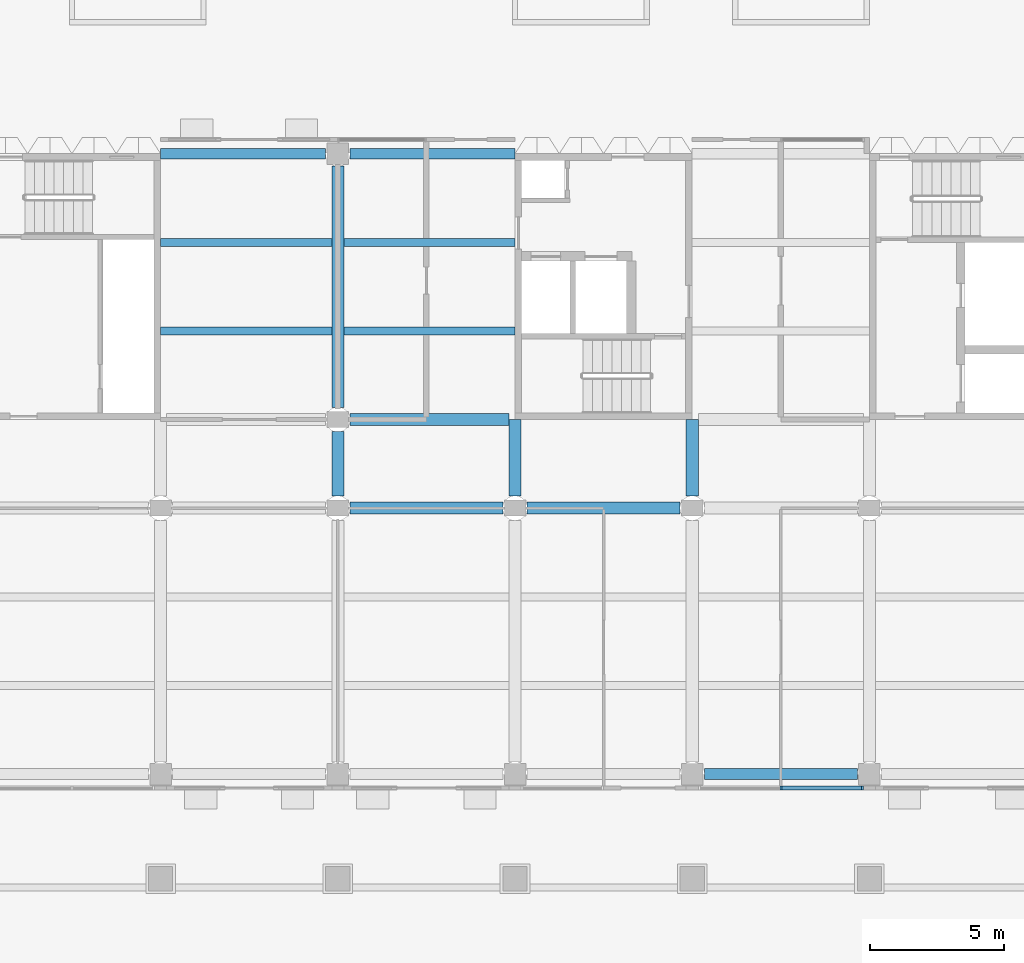
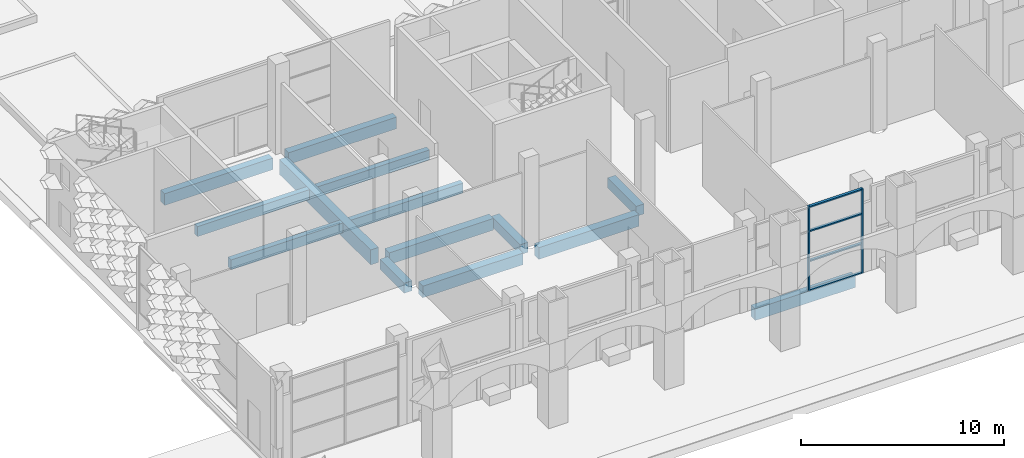
# One storey, part 3 of 85: 14 beams, 6 members, 1 element without a shape of its own.
"""IFC4 building model written with IfcOpenShell, lengths in metres."""

from ifc_helpers import new_model, si_unit, direction, frame, origin, origin_2d, place, context, subcontext, project, spatial, rectangle, extrude, material, material_profile, profile_set, type_object, element, aggregate, save


model = new_model("IFC4")

# Units and contexts
model_context = context("Model", 3, precision=1e-05, world=origin(), true_north=direction((0.0, 1.0)))
body_context = subcontext(model_context, "Body", "Model", "MODEL_VIEW")
ifc_project = project(units=[si_unit("LENGTHUNIT", "METRE"), si_unit("AREAUNIT", "SQUARE_METRE"), si_unit("VOLUMEUNIT", "CUBIC_METRE"), si_unit("PLANEANGLEUNIT", "RADIAN"), si_unit("MASSUNIT", "GRAM", prefix="KILO")], contexts=[model_context])

# Site, building, storey
site_placement = place(None, origin())
site = spatial("IfcSite", under=ifc_project, at=site_placement, CompositionType="ELEMENT")
building_placement = place(site_placement, origin())
building = spatial("IfcBuilding", under=site, at=building_placement, Name="Lantern Court Research Institute", CompositionType="ELEMENT")
storey_placement = place(building_placement, origin())
storey = spatial("IfcBuildingStorey", under=building, at=storey_placement, Name="L00", CompositionType="ELEMENT", Elevation=0.0)

# Curtain wall, members
ifc_material_1 = material(Name="Aluminium alloy 6063-T6", Category="aluminium")
curtain_wall_type = type_object("IfcCurtainWallType", Name="Curtain wall 6150 x 5100 x 150 aluminium frame", PredefinedType="NOTDEFINED", material=ifc_material_1)
curtain_wall_placement = place(storey_placement, origin())
curtain_wall = element("IfcCurtainWall", 1, at=curtain_wall_placement, inside=storey, type_object=curtain_wall_type, Name="Curtain wall CW010", PredefinedType="NOTDEFINED")
ifc_material_2 = material(Name="Aluminium alloy 6063-T6", Category="aluminium")
ifc_material_profile_1 = material_profile(ifc_material_2, rectangle(XDim=0.14990234375, YDim=0.080078125, at=origin_2d()), Name="Mullion 150 x 80")
ifc_profile_set_1 = profile_set([ifc_material_profile_1], Name="Aluminium alloy 6063-T6")
member_type_1 = type_object("IfcMemberType", Name="Mullion 150 x 80 aluminium", PredefinedType="MULLION", material=ifc_profile_set_1)
member_1_placement = place(storey_placement, frame((29.699951171875, -0.52490234375, 0.0), z_axis=(0.0, 0.0, 1.0), x_axis=(0.0, -1.0, 0.0)))
member_1 = element("IfcMember", 2, at=member_1_placement, type_object=member_type_1, Name="CW010 mullion 2", PredefinedType="MULLION", context=body_context, shape_type="SweptSolid", body=[
    extrude(rectangle(XDim=0.14990234375, YDim=0.080078125, at=origin_2d()), origin(), (0.0, 0.0, 1.0), 5.10009765625),
])
member_2_placement = place(storey_placement, frame((32.735107421875, -0.52490234375, 0.0), z_axis=(0.0, 0.0, 1.0), x_axis=(0.0, -1.0, 0.0)))
member_2 = element("IfcMember", 3, at=member_2_placement, type_object=member_type_1, Name="CW010 mullion 3", PredefinedType="MULLION", context=body_context, shape_type="SweptSolid", body=[
    extrude(rectangle(XDim=0.14990234375, YDim=0.080078125, at=origin_2d()), origin(), (0.0, 0.0, 1.0), 5.10009765625),
])

# Beams
ifc_material_3 = material(Name="Concrete C40/50", Category="concrete")
ifc_material_profile_2 = material_profile(ifc_material_3, rectangle(XDim=0.449951171875, YDim=0.699951171875, at=origin_2d()), Name="RC beam 450 x 700")
ifc_profile_set_2 = profile_set([ifc_material_profile_2], Name="Concrete C40/50")
beam_type_1 = type_object("IfcBeamType", Name="RC beam 450 x 700", PredefinedType="BEAM", material=ifc_profile_set_2)
beam_1_placement = place(storey_placement, frame((13.64990234375, 9.89990234375, -0.64990234375), z_axis=(1.0, 0.0, 0.0), x_axis=(0.0, 1.0, 0.0)))
element("IfcBeam", 4, at=beam_1_placement, inside=storey, type_object=beam_type_1, Name="Beam L00 grid B/3-4", PredefinedType="BEAM", context=body_context, shape_type="SweptSolid", body=[
    extrude(rectangle(XDim=0.449951171875, YDim=0.699951171875, at=origin_2d()), origin(), (0.0, 0.0, 1.0), 5.7001953125),
])
beam_2_placement = place(storey_placement, frame((20.25, 9.89990234375, -0.64990234375), z_axis=(1.0, 0.0, 0.0), x_axis=(0.0, 1.0, 0.0)))
element("IfcBeam", 5, at=beam_2_placement, inside=storey, type_object=beam_type_1, Name="Beam L00 grid B/4-5", PredefinedType="BEAM", context=body_context, shape_type="SweptSolid", body=[
    extrude(rectangle(XDim=0.449951171875, YDim=0.699951171875, at=origin_2d()), origin(), (0.0, 0.0, 1.0), 5.699951171875),
])
beam_3_placement = place(storey_placement, frame((13.64990234375, 13.199951171875, -0.64990234375), z_axis=(1.0, 0.0, 0.0), x_axis=(0.0, 1.0, 0.0)))
element("IfcBeam", 6, at=beam_3_placement, inside=storey, type_object=beam_type_1, Name="Beam L00 grid C/3-4", PredefinedType="BEAM", context=body_context, shape_type="SweptSolid", body=[
    extrude(rectangle(XDim=0.449951171875, YDim=0.699951171875, at=origin_2d()), origin(), (0.0, 0.0, 1.0), 5.925048828125),
])
ifc_material_4 = material(Name="Concrete C40/50", Category="concrete")
ifc_material_profile_3 = material_profile(ifc_material_4, rectangle(XDim=0.39990234375, YDim=0.699951171875, at=origin_2d()), Name="RC beam 400 x 700")
ifc_profile_set_3 = profile_set([ifc_material_profile_3], Name="Concrete C40/50")
beam_type_2 = type_object("IfcBeamType", Name="RC edge beam 400 x 700", PredefinedType="BEAM", material=ifc_profile_set_3)
beam_4_placement = place(storey_placement, frame((26.85009765625, 0.0, -0.64990234375), z_axis=(1.0, 0.0, 0.0), x_axis=(0.0, 1.0, 0.0)))
element("IfcBeam", 7, at=beam_4_placement, inside=storey, type_object=beam_type_2, Name="Edge beam L00 grid A/5-6", PredefinedType="BEAM", context=body_context, shape_type="SweptSolid", body=[
    extrude(rectangle(XDim=0.39990234375, YDim=0.699951171875, at=origin_2d()), origin(), (0.0, 0.0, 1.0), 5.699951171875),
])
beam_5_placement = place(storey_placement, frame((6.60009765625, 23.10009765625, -0.64990234375), z_axis=(1.0, 0.0, 0.0), x_axis=(0.0, 1.0, 0.0)))
element("IfcBeam", 8, at=beam_5_placement, inside=storey, type_object=beam_type_2, Name="Edge beam L00 grid D/2-3", PredefinedType="BEAM", context=body_context, shape_type="SweptSolid", body=[
    extrude(rectangle(XDim=0.39990234375, YDim=0.699951171875, at=origin_2d()), origin(), (0.0, 0.0, 1.0), 6.14990234375),
])
beam_6_placement = place(storey_placement, frame((13.64990234375, 23.10009765625, -0.64990234375), z_axis=(1.0, 0.0, 0.0), x_axis=(0.0, 1.0, 0.0)))
element("IfcBeam", 9, at=beam_6_placement, inside=storey, type_object=beam_type_2, Name="Edge beam L00 grid D/3-4", PredefinedType="BEAM", context=body_context, shape_type="SweptSolid", body=[
    extrude(rectangle(XDim=0.39990234375, YDim=0.699951171875, at=origin_2d()), origin(), (0.0, 0.0, 1.0), 6.150146484375),
])
ifc_material_5 = material(Name="Concrete C40/50", Category="concrete")
ifc_material_profile_4 = material_profile(ifc_material_5, rectangle(XDim=0.449951171875, YDim=0.89990234375, at=origin_2d()), Name="RC beam 450 x 900")
ifc_profile_set_4 = profile_set([ifc_material_profile_4], Name="Concrete C40/50")
beam_type_3 = type_object("IfcBeamType", Name="RC girder 450 x 900", PredefinedType="BEAM", material=ifc_profile_set_4)
beam_7_placement = place(storey_placement, frame((13.199951171875, 13.64990234375, -0.75), z_axis=(0.0, 1.0, 0.0), x_axis=(-1.0, 0.0, 0.0)))
element("IfcBeam", 10, at=beam_7_placement, inside=storey, type_object=beam_type_3, Name="Girder L00 grid 3/C-D", PredefinedType="BEAM", context=body_context, shape_type="SweptSolid", body=[
    extrude(rectangle(XDim=0.449951171875, YDim=0.89990234375, at=origin_2d()), origin(), (0.0, 0.0, 1.0), 9.0),
])
ifc_material_6 = material(Name="Concrete C40/50", Category="concrete")
ifc_material_profile_5 = material_profile(ifc_material_6, rectangle(XDim=0.300048828125, YDim=0.60009765625, at=origin_2d()), Name="RC beam 300 x 600")
ifc_profile_set_5 = profile_set([ifc_material_profile_5], Name="Concrete C40/50")
beam_type_4 = type_object("IfcBeamType", Name="RC secondary beam 300 x 600", PredefinedType="BEAM", material=ifc_profile_set_5)
for number, where, z_axis, x_axis, name in (
    (11, (6.60009765625, 16.5, -0.60009765625), (1.0, 0.0, 0.0), (0.0, 1.0, 0.0), "Secondary beam L00 grids 2-3 / C-D, line 1"),
    (12, (13.425048828125, 16.5, -0.60009765625), (1.0, 0.0, 0.0), (0.0, 1.0, 0.0), "Secondary beam L00 grids 3-4 / C-D, line 1"),
    (13, (6.60009765625, 19.800048828125, -0.60009765625), (1.0, 0.0, 0.0), (0.0, 1.0, 0.0), "Secondary beam L00 grids 2-3 / C-D, line 2"),
    (14, (13.425048828125, 19.800048828125, -0.60009765625), (1.0, 0.0, 0.0), (0.0, 1.0, 0.0), "Secondary beam L00 grids 3-4 / C-D, line 2"),
):
    element("IfcBeam", number, at=place(storey_placement, frame(where, z_axis=z_axis, x_axis=x_axis)), inside=storey, type_object=beam_type_4, Name=name, PredefinedType="BEAM", context=body_context, shape_type="SweptSolid", body=[
        extrude(rectangle(XDim=0.300048828125, YDim=0.60009765625, at=origin_2d()), origin(), (0.0, 0.0, 1.0), 6.375),
    ])
ifc_material_7 = material(Name="Concrete C40/50", Category="concrete")
ifc_material_profile_6 = material_profile(ifc_material_7, rectangle(XDim=0.449951171875, YDim=0.60009765625, at=origin_2d()), Name="RC beam 450 x 600")
ifc_profile_set_6 = profile_set([ifc_material_profile_6], Name="Concrete C40/50")
beam_type_5 = type_object("IfcBeamType", Name="RC spine beam 450 x 600", PredefinedType="BEAM", material=ifc_profile_set_6)
beam_8_placement = place(storey_placement, frame((13.199951171875, 10.35009765625, -0.60009765625), z_axis=(0.0, 1.0, 0.0), x_axis=(-1.0, 0.0, 0.0)))
element("IfcBeam", 15, at=beam_8_placement, inside=storey, type_object=beam_type_5, Name="Beam L00 grid 3/B-C", PredefinedType="BEAM", context=body_context, shape_type="SweptSolid", body=[
    extrude(rectangle(XDim=0.449951171875, YDim=0.60009765625, at=origin_2d()), origin(), (0.0, 0.0, 1.0), 2.39990234375),
])
for number, where, z_axis, x_axis, name in (
    (16, (19.800048828125, 10.35009765625, -0.60009765625), (0.0, 1.0, 0.0), (-1.0, 0.0, 0.0), "Beam L00 grid 4/B-C"),
    (17, (26.39990234375, 10.35009765625, -0.60009765625), (0.0, 1.0, 0.0), (-1.0, 0.0, 0.0), "Beam L00 grid 5/B-C"),
):
    element("IfcBeam", number, at=place(storey_placement, frame(where, z_axis=z_axis, x_axis=x_axis)), inside=storey, type_object=beam_type_5, Name=name, PredefinedType="BEAM", context=body_context, shape_type="SweptSolid", body=[
        extrude(rectangle(XDim=0.449951171875, YDim=0.60009765625, at=origin_2d()), origin(), (0.0, 0.0, 1.0), 2.849853515625),
    ])

# Member
ifc_material_8 = material(Name="Aluminium alloy 6063-T6", Category="aluminium")
ifc_material_profile_7 = material_profile(ifc_material_8, rectangle(XDim=0.14990234375, YDim=0.080078125, at=origin_2d()), Name="Transom 150 x 80")
ifc_profile_set_7 = profile_set([ifc_material_profile_7], Name="Aluminium alloy 6063-T6")
member_type_2 = type_object("IfcMemberType", Name="Transom 150 x 80 aluminium", PredefinedType="USERDEFINED", material=ifc_profile_set_7)
member_3_placement = place(storey_placement, frame((32.695068359375, -0.52490234375, 0.0400390625), z_axis=(-1.0, 0.0, 0.0), x_axis=(0.0, -1.0, 0.0)))
member_3 = element("IfcMember", 18, at=member_3_placement, type_object=member_type_2, Name="CW010 transom 2.1", ObjectType="TRANSOM", PredefinedType="USERDEFINED", context=body_context, shape_type="SweptSolid", body=[
    extrude(rectangle(XDim=0.14990234375, YDim=0.080078125, at=origin_2d()), origin(), (0.0, 0.0, 1.0), 2.955078125),
])

member_4_placement = place(storey_placement, frame((32.695068359375, -0.52490234375, 1.800048828125), z_axis=(-1.0, 0.0, 0.0), x_axis=(0.0, -1.0, 0.0)))
member_4 = element("IfcMember", 19, at=member_4_placement, type_object=member_type_2, Name="CW010 transom 2.2", ObjectType="TRANSOM", PredefinedType="USERDEFINED", context=body_context, shape_type="SweptSolid", body=[
    extrude(rectangle(XDim=0.14990234375, YDim=0.080078125, at=origin_2d()), origin(), (0.0, 0.0, 1.0), 2.955078125),
])

member_5_placement = place(storey_placement, frame((32.695068359375, -0.52490234375, 3.60009765625), z_axis=(-1.0, 0.0, 0.0), x_axis=(0.0, -1.0, 0.0)))
member_5 = element("IfcMember", 20, at=member_5_placement, type_object=member_type_2, Name="CW010 transom 2.3", ObjectType="TRANSOM", PredefinedType="USERDEFINED", context=body_context, shape_type="SweptSolid", body=[
    extrude(rectangle(XDim=0.14990234375, YDim=0.080078125, at=origin_2d()), origin(), (0.0, 0.0, 1.0), 2.955078125),
])

member_6_placement = place(storey_placement, frame((32.695068359375, -0.52490234375, 5.06005859375), z_axis=(-1.0, 0.0, 0.0), x_axis=(0.0, -1.0, 0.0)))
member_6 = element("IfcMember", 21, at=member_6_placement, type_object=member_type_2, Name="CW010 transom 2.4", ObjectType="TRANSOM", PredefinedType="USERDEFINED", context=body_context, shape_type="SweptSolid", body=[
    extrude(rectangle(XDim=0.14990234375, YDim=0.080078125, at=origin_2d()), origin(), (0.0, 0.0, 1.0), 2.955078125),
])

aggregate(curtain_wall, [member_1, member_2, member_3, member_4, member_5, member_6])

save(model, "model.ifc")
